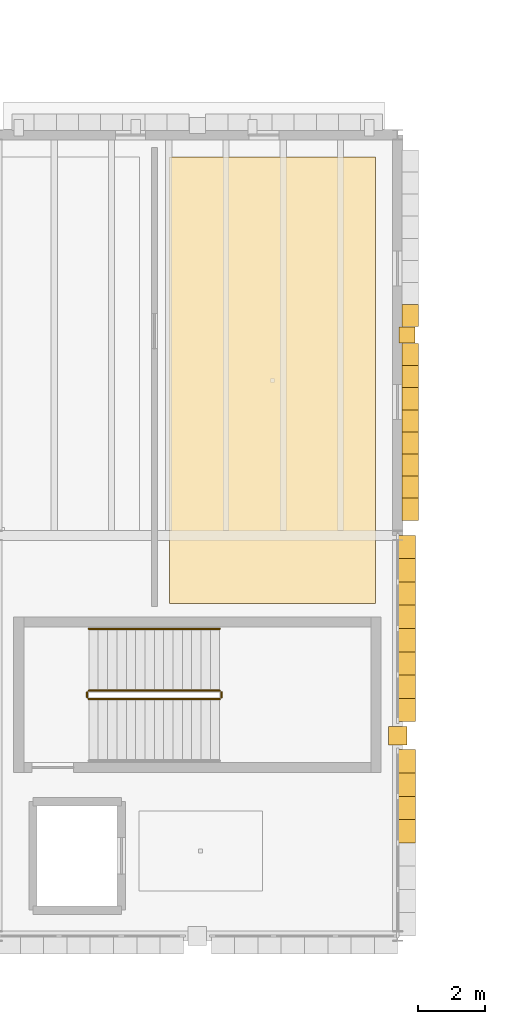
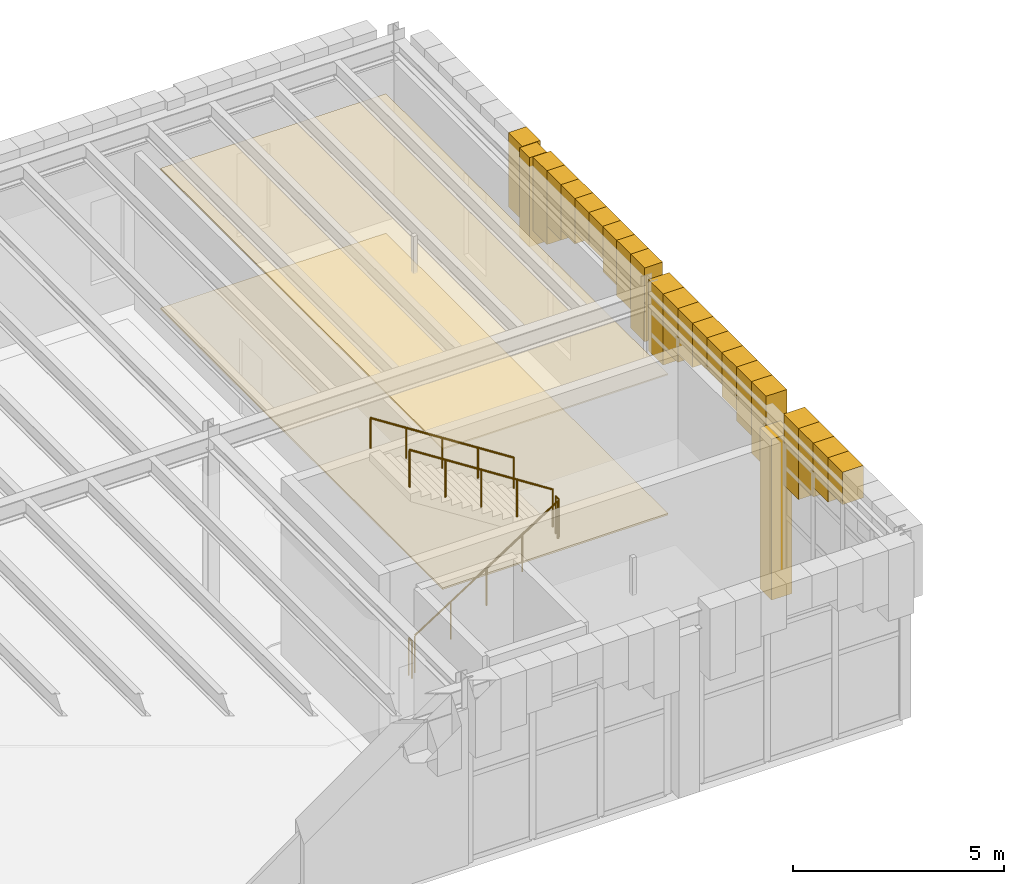
# One storey, part 94 of 100: 25 coverings, 5 railings.
"""IFC4 building model written with IfcOpenShell, lengths in metres."""

from ifc_helpers import new_model, si_unit, direction, frame, origin, origin_2d, place, context, subcontext, project, spatial, polyline, circle, outline, extrude, material, layer, layer_set, type_object, element, save


model = new_model("IFC4")

# Units and contexts
model_context = context("Model", 3, precision=1e-05, world=origin(), true_north=direction((0.0, 1.0)))
body_context = subcontext(model_context, "Body", "Model", "MODEL_VIEW")
ifc_project = project(units=[si_unit("LENGTHUNIT", "METRE"), si_unit("AREAUNIT", "SQUARE_METRE"), si_unit("VOLUMEUNIT", "CUBIC_METRE"), si_unit("PLANEANGLEUNIT", "RADIAN"), si_unit("MASSUNIT", "GRAM", prefix="KILO")], contexts=[model_context])

# Site, building, storey
site_placement = place(None, origin())
site = spatial("IfcSite", under=ifc_project, at=site_placement, CompositionType="ELEMENT")
building_placement = place(site_placement, origin())
building = spatial("IfcBuilding", under=site, at=building_placement, Name="Zlatogorsky Bluff Art Gallery", CompositionType="ELEMENT")
storey_placement = place(building_placement, frame((0.0, 0.0, 5.39990234375)))
storey = spatial("IfcBuildingStorey", under=building, at=storey_placement, Name="L01", CompositionType="ELEMENT", Elevation=5.39990234375)

# Coverings
ifc_material_1 = material(Name="Perforated Gypsum Acoustic Board", Category="gypsum")
ifc_layer_1 = layer(ifc_material_1, 0.0400390625)
ifc_layer_set_1 = layer_set([ifc_layer_1], Name="Acoustic Gallery Ceiling CLG-01")
covering_type_1 = type_object("IfcCoveringType", Name="Acoustic Gallery Ceiling CLG-01", PredefinedType="CEILING", material=ifc_layer_set_1)
covering_1_placement = place(storey_placement, frame((0.0, 0.0, 4.050048828125)))
element("IfcCovering", 1, at=covering_1_placement, inside=storey, type_object=covering_type_1, Name="Courtyard Artists' Studios acoustic ceiling", PredefinedType="CEILING", context=body_context, shape_type="SweptSolid", body=[
    extrude(outline(polyline([(149.16064453125, 93.9599609375), (149.16064453125, 107.330078125), (155.330078125, 107.330078125), (155.330078125, 93.9599609375), (149.16064453125, 93.9599609375)])), origin(), (0.0, 0.0, 1.0), 0.0400390625),
])
ifc_material_2 = material(Name="Honed Red Agra-Tone Quartzitic Sandstone", Category="masonry")
ifc_layer_2 = layer(ifc_material_2, 0.1201171875)
ifc_layer_set_2 = layer_set([ifc_layer_2], Name="Carved Sandstone Cladding CLD-02")
covering_type_2 = type_object("IfcCoveringType", Name="Carved Sandstone Cladding CLD-02", PredefinedType="CLADDING", material=ifc_layer_set_2)
covering_2_placement = place(storey_placement, frame((0.0, 0.0, -0.02978515625)))
element("IfcCovering", 2, at=covering_2_placement, inside=storey, type_object=covering_type_2, Name="Mughal dalan central sandstone pier L01 E 12.8", PredefinedType="CLADDING", context=body_context, shape_type="SweptSolid", body=[
    extrude(outline(polyline([(155.719970703125, 89.719970703125), (156.280029296875, 89.719970703125), (156.280029296875, 90.280029296875), (155.719970703125, 90.280029296875), (155.719970703125, 89.719970703125)])), origin(), (0.0, 0.0, 1.0), 4.659912109375),
])
covering_3_placement = place(storey_placement, frame((0.0, 0.0, 4.424560546875)))
element("IfcCovering", 3, at=covering_3_placement, inside=storey, type_object=covering_type_2, Name="Pointed Mughal arch voussoir spandrel ARCH-CW-L01-E-12-08-A.5", PredefinedType="CLADDING", context=body_context, shape_type="SweptSolid", body=[
    extrude(outline(polyline([(155.969970703125, 86.7900390625), (155.969970703125, 87.487548828125), (156.5400390625, 87.487548828125), (156.5400390625, 86.7900390625), (155.969970703125, 86.7900390625)])), origin(), (0.0, 0.0, 1.0), 0.935546875),
])
covering_4_placement = place(storey_placement, frame((0.0, 0.0, 4.076416015625)))
element("IfcCovering", 4, at=covering_4_placement, inside=storey, type_object=covering_type_2, Name="Pointed Mughal arch voussoir spandrel ARCH-CW-L01-E-12-08-A.6", PredefinedType="CLADDING", context=body_context, shape_type="SweptSolid", body=[
    extrude(outline(polyline([(155.969970703125, 87.487548828125), (155.969970703125, 88.18505859375), (156.5400390625, 88.18505859375), (156.5400390625, 87.487548828125), (155.969970703125, 87.487548828125)])), origin(), (0.0, 0.0, 1.0), 1.28369140625),
])
covering_5_placement = place(storey_placement, frame((0.0, 0.0, 3.7998046875)))
element("IfcCovering", 5, at=covering_5_placement, inside=storey, type_object=covering_type_2, Name="Pointed Mughal arch voussoir spandrel ARCH-CW-L01-E-12-08-A.7", PredefinedType="CLADDING", context=body_context, shape_type="SweptSolid", body=[
    extrude(outline(polyline([(155.969970703125, 88.18505859375), (155.969970703125, 88.882568359375), (156.5400390625, 88.882568359375), (156.5400390625, 88.18505859375), (155.969970703125, 88.18505859375)])), origin(), (0.0, 0.0, 1.0), 1.560302734375),
])
covering_6_placement = place(storey_placement, frame((0.0, 0.0, 3.2978515625)))
element("IfcCovering", 6, at=covering_6_placement, inside=storey, type_object=covering_type_2, Name="Pointed Mughal arch voussoir spandrel ARCH-CW-L01-E-12-08-A.8", PredefinedType="CLADDING", context=body_context, shape_type="SweptSolid", body=[
    extrude(outline(polyline([(155.969970703125, 88.882568359375), (155.969970703125, 89.580078125), (156.5400390625, 89.580078125), (156.5400390625, 88.882568359375), (155.969970703125, 88.882568359375)])), origin(), (0.0, 0.0, 1.0), 2.062255859375),
])
covering_7_placement = place(storey_placement, frame((0.0, 0.0, 3.2978515625)))
element("IfcCovering", 7, at=covering_7_placement, inside=storey, type_object=covering_type_2, Name="Pointed Mughal arch voussoir spandrel ARCH-CW-L01-E-12-08-B.1", PredefinedType="CLADDING", context=body_context, shape_type="SweptSolid", body=[
    extrude(outline(polyline([(155.969970703125, 90.419921875), (155.969970703125, 91.117431640625), (156.5400390625, 91.117431640625), (156.5400390625, 90.419921875), (155.969970703125, 90.419921875)])), origin(), (0.0, 0.0, 1.0), 2.062255859375),
])
covering_8_placement = place(storey_placement, frame((0.0, 0.0, 3.7998046875)))
element("IfcCovering", 8, at=covering_8_placement, inside=storey, type_object=covering_type_2, Name="Pointed Mughal arch voussoir spandrel ARCH-CW-L01-E-12-08-B.2", PredefinedType="CLADDING", context=body_context, shape_type="SweptSolid", body=[
    extrude(outline(polyline([(155.969970703125, 91.117431640625), (155.969970703125, 91.81494140625), (156.5400390625, 91.81494140625), (156.5400390625, 91.117431640625), (155.969970703125, 91.117431640625)])), origin(), (0.0, 0.0, 1.0), 1.560302734375),
])
covering_9_placement = place(storey_placement, frame((0.0, 0.0, 4.076416015625)))
element("IfcCovering", 9, at=covering_9_placement, inside=storey, type_object=covering_type_2, Name="Pointed Mughal arch voussoir spandrel ARCH-CW-L01-E-12-08-B.3", PredefinedType="CLADDING", context=body_context, shape_type="SweptSolid", body=[
    extrude(outline(polyline([(155.969970703125, 91.81494140625), (155.969970703125, 92.512451171875), (156.5400390625, 92.512451171875), (156.5400390625, 91.81494140625), (155.969970703125, 91.81494140625)])), origin(), (0.0, 0.0, 1.0), 1.28369140625),
])
covering_10_placement = place(storey_placement, frame((0.0, 0.0, 4.424560546875)))
element("IfcCovering", 10, at=covering_10_placement, inside=storey, type_object=covering_type_2, Name="Pointed Mughal arch voussoir spandrel ARCH-CW-L01-E-12-08-B.4", PredefinedType="CLADDING", context=body_context, shape_type="SweptSolid", body=[
    extrude(outline(polyline([(155.969970703125, 92.512451171875), (155.969970703125, 93.2099609375), (156.5400390625, 93.2099609375), (156.5400390625, 92.512451171875), (155.969970703125, 92.512451171875)])), origin(), (0.0, 0.0, 1.0), 0.935546875),
])
covering_11_placement = place(storey_placement, frame((0.0, 0.0, 4.424560546875)))
element("IfcCovering", 11, at=covering_11_placement, inside=storey, type_object=covering_type_2, Name="Pointed Mughal arch voussoir spandrel ARCH-CW-L01-E-12-08-B.5", PredefinedType="CLADDING", context=body_context, shape_type="SweptSolid", body=[
    extrude(outline(polyline([(155.969970703125, 93.2099609375), (155.969970703125, 93.907470703125), (156.5400390625, 93.907470703125), (156.5400390625, 93.2099609375), (155.969970703125, 93.2099609375)])), origin(), (0.0, 0.0, 1.0), 0.935546875),
])
covering_12_placement = place(storey_placement, frame((0.0, 0.0, 4.076416015625)))
element("IfcCovering", 12, at=covering_12_placement, inside=storey, type_object=covering_type_2, Name="Pointed Mughal arch voussoir spandrel ARCH-CW-L01-E-12-08-B.6", PredefinedType="CLADDING", context=body_context, shape_type="SweptSolid", body=[
    extrude(outline(polyline([(155.969970703125, 93.907470703125), (155.969970703125, 94.60498046875), (156.5400390625, 94.60498046875), (156.5400390625, 93.907470703125), (155.969970703125, 93.907470703125)])), origin(), (0.0, 0.0, 1.0), 1.28369140625),
])
covering_13_placement = place(storey_placement, frame((0.0, 0.0, 3.7998046875)))
element("IfcCovering", 13, at=covering_13_placement, inside=storey, type_object=covering_type_2, Name="Pointed Mughal arch voussoir spandrel ARCH-CW-L01-E-12-08-B.7", PredefinedType="CLADDING", context=body_context, shape_type="SweptSolid", body=[
    extrude(outline(polyline([(155.969970703125, 94.60498046875), (155.969970703125, 95.302490234375), (156.5400390625, 95.302490234375), (156.5400390625, 94.60498046875), (155.969970703125, 94.60498046875)])), origin(), (0.0, 0.0, 1.0), 1.560302734375),
])
covering_14_placement = place(storey_placement, frame((0.0, 0.0, 3.2978515625)))
element("IfcCovering", 14, at=covering_14_placement, inside=storey, type_object=covering_type_2, Name="Pointed Mughal arch voussoir spandrel ARCH-CW-L01-E-12-08-B.8", PredefinedType="CLADDING", context=body_context, shape_type="SweptSolid", body=[
    extrude(outline(polyline([(155.969970703125, 95.302490234375), (155.969970703125, 96.0), (156.5400390625, 96.0), (156.5400390625, 95.302490234375), (155.969970703125, 95.302490234375)])), origin(), (0.0, 0.0, 1.0), 2.062255859375),
])
covering_15_placement = place(storey_placement, frame((0.0, 0.0, 2.780029296875)))
element("IfcCovering", 15, at=covering_15_placement, inside=storey, type_object=covering_type_2, Name="Mughal blind-arch sandstone pilaster L01.E.12.9", PredefinedType="CLADDING", context=body_context, shape_type="SweptSolid", body=[
    extrude(outline(polyline([(156.0400390625, 101.760009765625), (156.52001953125, 101.760009765625), (156.52001953125, 102.239990234375), (156.0400390625, 102.239990234375), (156.0400390625, 101.760009765625)])), origin(), (0.0, 0.0, 1.0), 2.580078125),
])
covering_16_placement = place(storey_placement, frame((0.0, 0.0, 3.222412109375)))
element("IfcCovering", 16, at=covering_16_placement, inside=storey, type_object=covering_type_2, Name="Pointed Mughal arch voussoir spandrel WARCH-L01-E-12-09-A.1", PredefinedType="CLADDING", context=body_context, shape_type="SweptSolid", body=[
    extrude(outline(polyline([(156.1298828125, 96.449951171875), (156.1298828125, 97.112548828125), (156.6201171875, 97.112548828125), (156.6201171875, 96.449951171875), (156.1298828125, 96.449951171875)])), origin(), (0.0, 0.0, 1.0), 2.1376953125),
])
covering_17_placement = place(storey_placement, frame((0.0, 0.0, 3.75390625)))
element("IfcCovering", 17, at=covering_17_placement, inside=storey, type_object=covering_type_2, Name="Pointed Mughal arch voussoir spandrel WARCH-L01-E-12-09-A.2", PredefinedType="CLADDING", context=body_context, shape_type="SweptSolid", body=[
    extrude(outline(polyline([(156.1298828125, 97.112548828125), (156.1298828125, 97.77490234375), (156.6201171875, 97.77490234375), (156.6201171875, 97.112548828125), (156.1298828125, 97.112548828125)])), origin(), (0.0, 0.0, 1.0), 1.606201171875),
])
covering_18_placement = place(storey_placement, frame((0.0, 0.0, 4.046875)))
element("IfcCovering", 18, at=covering_18_placement, inside=storey, type_object=covering_type_2, Name="Pointed Mughal arch voussoir spandrel WARCH-L01-E-12-09-A.3", PredefinedType="CLADDING", context=body_context, shape_type="SweptSolid", body=[
    extrude(outline(polyline([(156.1298828125, 97.77490234375), (156.1298828125, 98.4375), (156.6201171875, 98.4375), (156.6201171875, 97.77490234375), (156.1298828125, 97.77490234375)])), origin(), (0.0, 0.0, 1.0), 1.313232421875),
])
covering_19_placement = place(storey_placement, frame((0.0, 0.0, 4.41552734375)))
element("IfcCovering", 19, at=covering_19_placement, inside=storey, type_object=covering_type_2, Name="Pointed Mughal arch voussoir spandrel WARCH-L01-E-12-09-A.4", PredefinedType="CLADDING", context=body_context, shape_type="SweptSolid", body=[
    extrude(outline(polyline([(156.1298828125, 98.4375), (156.1298828125, 99.10009765625), (156.6201171875, 99.10009765625), (156.6201171875, 98.4375), (156.1298828125, 98.4375)])), origin(), (0.0, 0.0, 1.0), 0.944580078125),
])
covering_20_placement = place(storey_placement, frame((0.0, 0.0, 4.41552734375)))
element("IfcCovering", 20, at=covering_20_placement, inside=storey, type_object=covering_type_2, Name="Pointed Mughal arch voussoir spandrel WARCH-L01-E-12-09-A.5", PredefinedType="CLADDING", context=body_context, shape_type="SweptSolid", body=[
    extrude(outline(polyline([(156.1298828125, 99.10009765625), (156.1298828125, 99.762451171875), (156.6201171875, 99.762451171875), (156.6201171875, 99.10009765625), (156.1298828125, 99.10009765625)])), origin(), (0.0, 0.0, 1.0), 0.944580078125),
])
covering_21_placement = place(storey_placement, frame((0.0, 0.0, 4.046875)))
element("IfcCovering", 21, at=covering_21_placement, inside=storey, type_object=covering_type_2, Name="Pointed Mughal arch voussoir spandrel WARCH-L01-E-12-09-A.6", PredefinedType="CLADDING", context=body_context, shape_type="SweptSolid", body=[
    extrude(outline(polyline([(156.1298828125, 99.762451171875), (156.1298828125, 100.425048828125), (156.6201171875, 100.425048828125), (156.6201171875, 99.762451171875), (156.1298828125, 99.762451171875)])), origin(), (0.0, 0.0, 1.0), 1.313232421875),
])
covering_22_placement = place(storey_placement, frame((0.0, 0.0, 3.75390625)))
element("IfcCovering", 22, at=covering_22_placement, inside=storey, type_object=covering_type_2, Name="Pointed Mughal arch voussoir spandrel WARCH-L01-E-12-09-A.7", PredefinedType="CLADDING", context=body_context, shape_type="SweptSolid", body=[
    extrude(outline(polyline([(156.1298828125, 100.425048828125), (156.1298828125, 101.08740234375), (156.6201171875, 101.08740234375), (156.6201171875, 100.425048828125), (156.1298828125, 100.425048828125)])), origin(), (0.0, 0.0, 1.0), 1.606201171875),
])
covering_23_placement = place(storey_placement, frame((0.0, 0.0, 3.222412109375)))
element("IfcCovering", 23, at=covering_23_placement, inside=storey, type_object=covering_type_2, Name="Pointed Mughal arch voussoir spandrel WARCH-L01-E-12-09-A.8", PredefinedType="CLADDING", context=body_context, shape_type="SweptSolid", body=[
    extrude(outline(polyline([(156.1298828125, 101.08740234375), (156.1298828125, 101.75), (156.6201171875, 101.75), (156.6201171875, 101.08740234375), (156.1298828125, 101.08740234375)])), origin(), (0.0, 0.0, 1.0), 2.1376953125),
])
covering_24_placement = place(storey_placement, frame((0.0, 0.0, 3.222412109375)))
element("IfcCovering", 24, at=covering_24_placement, inside=storey, type_object=covering_type_2, Name="Pointed Mughal arch voussoir spandrel WARCH-L01-E-12-09-B.1", PredefinedType="CLADDING", context=body_context, shape_type="SweptSolid", body=[
    extrude(outline(polyline([(156.1298828125, 102.25), (156.1298828125, 102.91259765625), (156.6201171875, 102.91259765625), (156.6201171875, 102.25), (156.1298828125, 102.25)])), origin(), (0.0, 0.0, 1.0), 2.1376953125),
])

# Railings
ifc_material_3 = material(Name="Architectural Bronze and Laminated Glass", Category="glass")
railing_type_1 = type_object("IfcRailingType", Name="Gallery Guard Rail 1100mm", PredefinedType="GUARDRAIL", material=ifc_material_3)
railing_1_placement = place(storey_placement, frame((146.75, 91.10009765625, 0.18017578125)))
element("IfcRailing", 25, at=railing_1_placement, inside=storey, type_object=railing_type_1, Name="L01 ST-04 stair guard 1", PredefinedType="GUARDRAIL", context=body_context, shape_type="SweptSolid", body=[
    extrude(circle(Radius=0.02392578125, at=origin_2d()), frame((0.0, 0.0, 1.076171875), z_axis=(0.841171666519, 0.0, 0.540768182723), x_axis=(0.0, 1.0, 0.0)), (0.0, 0.0, 1.0), 4.66015625),
    extrude(circle(Radius=0.02099609375, at=origin_2d()), origin(), (0.0, 0.0, 1.0), 1.052001953125),
    extrude(circle(Radius=0.02099609375, at=origin_2d()), frame((0.97998046875, 0.0, 0.6298828125)), (0.0, 0.0, 1.0), 1.052001953125),
    extrude(circle(Radius=0.02099609375, at=origin_2d()), frame((1.9599609375, 0.0, 1.260009765625)), (0.0, 0.0, 1.0), 1.052001953125),
    extrude(circle(Radius=0.02099609375, at=origin_2d()), frame((2.93994140625, 0.0, 1.89013671875)), (0.0, 0.0, 1.0), 1.052001953125),
    extrude(circle(Radius=0.02099609375, at=origin_2d()), frame((3.919921875, 0.0, 2.52001953125)), (0.0, 0.0, 1.0), 1.052001953125),
])
railing_2_placement = place(storey_placement, frame((150.719970703125, 91.14990234375, 2.7001953125)))
element("IfcRailing", 26, at=railing_2_placement, inside=storey, type_object=railing_type_1, Name="L01 ST-04 stair guard 2", PredefinedType="GUARDRAIL", context=body_context, shape_type="SweptSolid", body=[
    extrude(circle(Radius=0.02392578125, at=origin_2d()), frame((0.0, 0.0, 1.076171875), z_axis=(0.0, 1.0, 0.0), x_axis=(-1.0, 0.0, 0.0)), (0.0, 0.0, 1.0), 0.150146484375),
    extrude(circle(Radius=0.02099609375, at=origin_2d()), origin(), (0.0, 0.0, 1.0), 1.052001953125),
    extrude(circle(Radius=0.02099609375, at=origin_2d()), frame((0.0, 0.150146484375, 0.0)), (0.0, 0.0, 1.0), 1.052001953125),
])
railing_3_placement = place(storey_placement, frame((150.669921875, 91.35009765625, 2.880126953125)))
element("IfcRailing", 27, at=railing_3_placement, inside=storey, type_object=railing_type_1, Name="L01 ST-04 stair guard 3", PredefinedType="GUARDRAIL", context=body_context, shape_type="SweptSolid", body=[
    extrude(circle(Radius=0.02392578125, at=origin_2d()), frame((0.0, 0.0, 1.076171875), z_axis=(-0.841171666519, 0.0, 0.540768182723), x_axis=(0.0, -1.0, 0.0)), (0.0, 0.0, 1.0), 4.66015625),
    extrude(circle(Radius=0.02099609375, at=origin_2d()), origin(), (0.0, 0.0, 1.0), 1.052001953125),
    extrude(circle(Radius=0.02099609375, at=origin_2d()), frame((-0.97998046875, 0.0, 0.6298828125)), (0.0, 0.0, 1.0), 1.052001953125),
    extrude(circle(Radius=0.02099609375, at=origin_2d()), frame((-1.9599609375, 0.0, 1.260009765625)), (0.0, 0.0, 1.0), 1.052001953125),
    extrude(circle(Radius=0.02099609375, at=origin_2d()), frame((-2.93994140625, 0.0, 1.89013671875)), (0.0, 0.0, 1.0), 1.052001953125),
    extrude(circle(Radius=0.02099609375, at=origin_2d()), frame((-3.919921875, 0.0, 2.52001953125)), (0.0, 0.0, 1.0), 1.052001953125),
])
railing_4_placement = place(storey_placement, frame((146.699951171875, 91.14990234375, 0.0)))
element("IfcRailing", 28, at=railing_4_placement, inside=storey, type_object=railing_type_1, Name="L01 ST-04 stair guard 4", PredefinedType="GUARDRAIL", context=body_context, shape_type="SweptSolid", body=[
    extrude(circle(Radius=0.02392578125, at=origin_2d()), frame((0.0, 0.0, 1.076171875), z_axis=(0.0, 1.0, 0.0), x_axis=(-1.0, 0.0, 0.0)), (0.0, 0.0, 1.0), 0.150146484375),
    extrude(circle(Radius=0.02099609375, at=origin_2d()), origin(), (0.0, 0.0, 1.0), 1.052001953125),
    extrude(circle(Radius=0.02099609375, at=origin_2d()), frame((0.0, 0.150146484375, 0.0)), (0.0, 0.0, 1.0), 1.052001953125),
])
ifc_material_4 = material(Name="Brushed Stainless Steel", Category="steel")
railing_type_2 = type_object("IfcRailingType", Name="Stair Pitch Handrail 900mm", PredefinedType="HANDRAIL", material=ifc_material_4)
railing_5_placement = place(storey_placement, frame((150.669921875, 93.199951171875, 2.880126953125)))
element("IfcRailing", 29, at=railing_5_placement, inside=storey, type_object=railing_type_2, Name="L01 ST-04 stair handrail 2", PredefinedType="HANDRAIL", context=body_context, shape_type="SweptSolid", body=[
    extrude(circle(Radius=0.02392578125, at=origin_2d()), frame((0.0, 0.0, 0.8759765625), z_axis=(-0.841171666519, 0.0, 0.540768182723), x_axis=(0.0, -1.0, 0.0)), (0.0, 0.0, 1.0), 4.66015625),
    extrude(circle(Radius=0.02099609375, at=origin_2d()), origin(), (0.0, 0.0, 1.0), 0.851806640625),
    extrude(circle(Radius=0.02099609375, at=origin_2d()), frame((-0.97998046875, 0.0, 0.6298828125)), (0.0, 0.0, 1.0), 0.851806640625),
    extrude(circle(Radius=0.02099609375, at=origin_2d()), frame((-1.9599609375, 0.0, 1.260009765625)), (0.0, 0.0, 1.0), 0.851806640625),
    extrude(circle(Radius=0.02099609375, at=origin_2d()), frame((-2.93994140625, 0.0, 1.89013671875)), (0.0, 0.0, 1.0), 0.851806640625),
    extrude(circle(Radius=0.02099609375, at=origin_2d()), frame((-3.919921875, 0.0, 2.52001953125)), (0.0, 0.0, 1.0), 0.851806640625),
])

# Covering
ifc_material_5 = material(Name="Polished Ural Marble Terrazzo", Category="masonry")
ifc_layer_3 = layer(ifc_material_5, 0.050048828125)
ifc_layer_set_3 = layer_set([ifc_layer_3], Name="Terrazzo Gallery Flooring FLR-01")
covering_type_3 = type_object("IfcCoveringType", Name="Terrazzo Gallery Flooring FLR-01", PredefinedType="FLOORING", material=ifc_layer_set_3)
covering_25_placement = place(storey_placement, origin())
element("IfcCovering", 30, at=covering_25_placement, inside=storey, type_object=covering_type_3, Name="Courtyard Artists' Studios terrazzo floor finish", PredefinedType="FLOORING", context=body_context, shape_type="SweptSolid", body=[
    extrude(outline(polyline([(149.16064453125, 93.9599609375), (149.16064453125, 107.330078125), (155.330078125, 107.330078125), (155.330078125, 93.9599609375), (149.16064453125, 93.9599609375)])), origin(), (0.0, 0.0, 1.0), 0.050048828125),
])

save(model, "model.ifc")
